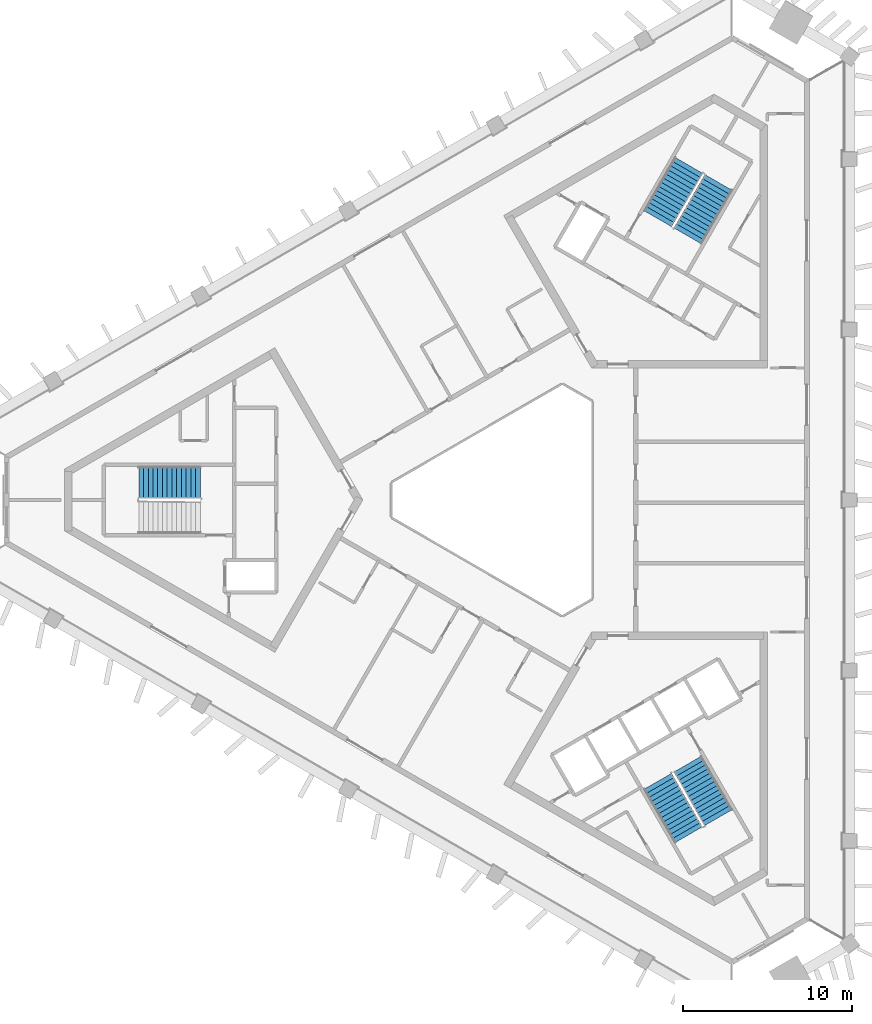
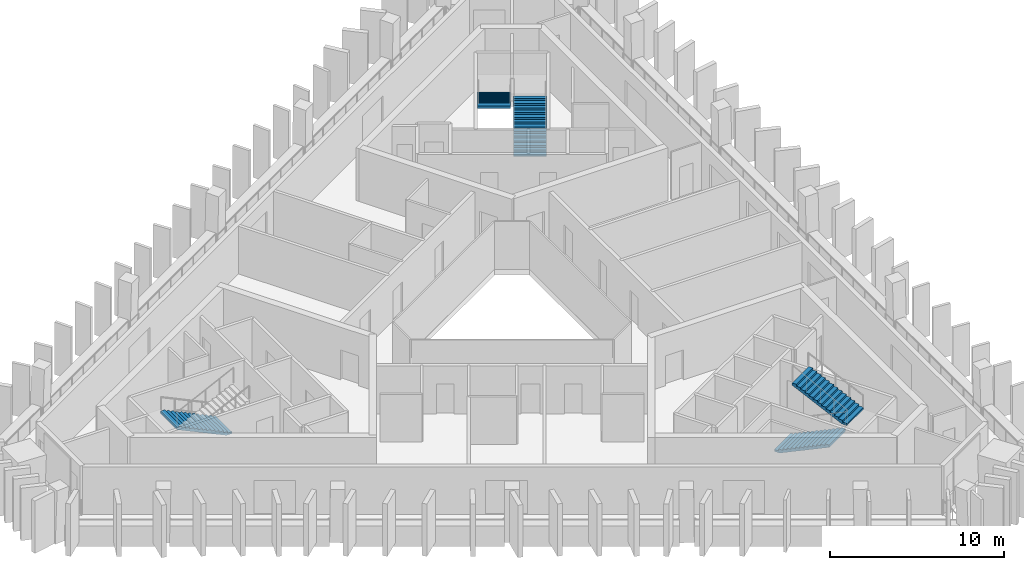
# One storey, part 6 of 9: 5 stair flights, 3 elements without a shape of their own.
"""IFC4 building model written with IfcOpenShell, lengths in metres."""

import ifcopenshell
import ifcopenshell.guid

model = None  # the IFC model being written
_history = None  # IfcOwnerHistory: only IFC2X3 demands one
_inside = {}  # id of a spatial element -> (the spatial element, [elements in it])
_under = {}  # id of a project, library or spatial element -> (it, [spatial elements below it])
_declared = {}  # id of a project -> (the project, [libraries it declares])
_typed = {}  # id of a type object -> (the type object, [elements of that type])
_made_of = {}  # id of a material, layer set ... -> (it, [elements and type objects made of it])


def new_model(schema):
    """Start an empty IFC model of exactly this schema.

    Asked for "IFC4X3", IfcOpenShell would pick the latest addendum, in which some entities
    have other attributes; the version numbers below select the first issue.
    IFC2X3 requires an IfcOwnerHistory on every rooted entity: one is made here for all.
    """
    global model, _history
    if schema == "IFC4X3":
        model = ifcopenshell.file(schema_version=(4, 3, 0, 0))
    else:
        model = ifcopenshell.file(schema=schema)
    _inside.clear()
    _under.clear()
    _declared.clear()
    _typed.clear()
    _made_of.clear()
    _history = None
    if model.schema == "IFC2X3":
        org = make("IfcOrganization", Name="unknown")
        user = make(
            "IfcPersonAndOrganization",
            ThePerson=make("IfcPerson", FamilyName="unknown"),
            TheOrganization=org,
        )
        app = make(
            "IfcApplication",
            ApplicationDeveloper=org,
            Version="unknown",
            ApplicationFullName="unknown",
            ApplicationIdentifier="unknown",
        )
        _history = make(
            "IfcOwnerHistory",
            OwningUser=user,
            OwningApplication=app,
            ChangeAction="ADDED",
            CreationDate=0,
        )
    return model


def make(cls, **values):
    """One entity of the class cls with the attributes given. An attribute that is None is left unset."""
    return model.create_entity(
        cls, **{name: value for name, value in values.items() if value is not None}
    )


def rooted(cls, **values):
    """An entity with a GlobalId (a new one), such as an element, a storey or a relation."""
    return make(cls, GlobalId=ifcopenshell.guid.new(), OwnerHistory=_history, **values)


def si_unit(unit_type, name, prefix=None):
    """IfcSIUnit, for example si_unit("LENGTHUNIT", "METRE", prefix="MILLI")."""
    return make("IfcSIUnit", UnitType=unit_type, Prefix=prefix, Name=name)


def assignment(units):
    """IfcUnitAssignment: the units of a project."""
    return None if units is None else make("IfcUnitAssignment", Units=units)


def point(xyz):
    """IfcCartesianPoint."""
    return None if xyz is None else make("IfcCartesianPoint", Coordinates=xyz)


def direction(xyz):
    """IfcDirection."""
    return None if xyz is None else make("IfcDirection", DirectionRatios=xyz)


def frame(location, z_axis=None, x_axis=None):
    """IfcAxis2Placement3D, a coordinate frame: its origin and axes. An axis left out is left unset."""
    return make(
        "IfcAxis2Placement3D",
        Location=point(location),
        Axis=direction(z_axis),
        RefDirection=direction(x_axis),
    )


def origin():
    """The frame at (0, 0, 0) with its axes left unset."""
    return frame((0.0, 0.0, 0.0))


def place(relative_to, where):
    """IfcLocalPlacement: puts the frame where relative to a parent placement (None: the world)."""
    return make(
        "IfcLocalPlacement", PlacementRelTo=relative_to, RelativePlacement=where
    )


def context(
    kind, dimensions, precision=None, world=None, true_north=None, identifier=None
):
    """IfcGeometricRepresentationContext, for example the 3D "Model" context."""
    return make(
        "IfcGeometricRepresentationContext",
        ContextIdentifier=identifier,
        ContextType=kind,
        CoordinateSpaceDimension=dimensions,
        Precision=precision,
        WorldCoordinateSystem=world,
        TrueNorth=true_north,
    )


def subcontext(parent, identifier, kind, view, scale=None):
    """IfcGeometricRepresentationSubContext, for example "Body" below "Model"."""
    return make(
        "IfcGeometricRepresentationSubContext",
        ContextIdentifier=identifier,
        ContextType=kind,
        ParentContext=parent,
        TargetScale=scale,
        TargetView=view,
    )


def project(units=None, contexts=None):
    """IfcProject with its units and contexts."""
    return rooted(
        "IfcProject",
        Name="project",
        RepresentationContexts=contexts,
        UnitsInContext=assignment(units),
    )


def spatial(cls, under=None, at=None, **own):
    """A site, building, storey or space (cls), placed at a placement, below another one or the project."""
    s = rooted(cls, ObjectPlacement=at, **own)
    if under is not None:
        _under.setdefault(under.id(), (under, []))[1].append(s)
    return s


def polyline(points):
    """IfcPolyline through the points."""
    return make("IfcPolyline", Points=[point(p) for p in points])


def outline(outer, holes=None, kind="AREA"):
    """IfcArbitraryClosedProfileDef: a profile drawn as a closed curve; with holes, ...WithVoids."""
    if holes is None:
        return make("IfcArbitraryClosedProfileDef", ProfileType=kind, OuterCurve=outer)
    return make(
        "IfcArbitraryProfileDefWithVoids",
        ProfileType=kind,
        OuterCurve=outer,
        InnerCurves=holes,
    )


def extrude(swept, where, along, depth):
    """IfcExtrudedAreaSolid: the profile swept, set in the frame where, extruded along a direction by depth."""
    return make(
        "IfcExtrudedAreaSolid",
        SweptArea=swept,
        Position=where,
        ExtrudedDirection=direction(along),
        Depth=depth,
    )


def shape(context_of_items, identifier, shape_type, items):
    """IfcShapeRepresentation: the items that make up one representation, for example the "Body"."""
    return make(
        "IfcShapeRepresentation",
        ContextOfItems=context_of_items,
        RepresentationIdentifier=identifier,
        RepresentationType=shape_type,
        Items=items,
    )


def material(Name=None, Category=None):
    """IfcMaterial."""
    return make("IfcMaterial", Name=Name, Category=Category)


def made_of(thing, what):
    """Note that an element or type object is made of a material, layer set ...; save() writes the relation."""
    if what is not None:
        _made_of.setdefault(what.id(), (what, []))[1].append(thing)
    return thing


def type_object(cls, material=None, **own):
    """A type object (cls), such as IfcWallType, which elements share."""
    return made_of(rooted(cls, **own), material)


def element(
    cls,
    number,
    at=None,
    inside=None,
    cuts=None,
    type_object=None,
    material=None,
    context=None,
    identifier="Body",
    shape_type=None,
    held_by="IfcProductDefinitionShape",
    body=None,
    shapes=None,
    **own,
):
    """One element of the class cls, such as IfcWall. Its Tag is "e" and its number.

    at: its placement. inside: the storey or other place that contains it. cuts: it is an
    opening in that element (IfcRelVoidsElement). A single representation is given by context,
    identifier, shape_type and body (its items); several are given by shapes. held_by: the class
    of the entity that holds the representations. save() writes the other relations.
    """
    e = rooted(cls, Tag="e%d" % number, ObjectPlacement=at, **own)
    if body is not None:
        shapes = [shape(context, identifier, shape_type, body)]
    if shapes is not None:
        e.Representation = make(held_by, Representations=shapes)
    if inside is not None:
        _inside.setdefault(inside.id(), (inside, []))[1].append(e)
    if cuts is not None:
        rooted(
            "IfcRelVoidsElement", RelatingBuildingElement=cuts, RelatedOpeningElement=e
        )
    if type_object is not None:
        _typed.setdefault(type_object.id(), (type_object, []))[1].append(e)
    return made_of(e, material)


def aggregate(whole, parts):
    """IfcRelAggregates: a whole, such as a stair, and the parts it consists of."""
    return rooted("IfcRelAggregates", RelatingObject=whole, RelatedObjects=parts)


def save(model, path):
    """Write the relations noted so far, then the file.

    IfcRelAggregates (storeys below a building ...), IfcRelContainedInSpatialStructure (elements
    in a storey), IfcRelDefinesByType, IfcRelAssociatesMaterial and IfcRelDeclares: one each for
    every whole, place, type object, material and project.
    """
    for whole, parts in _under.values():
        aggregate(whole, parts)
    for where, things in _inside.values():
        rooted(
            "IfcRelContainedInSpatialStructure",
            RelatedElements=things,
            RelatingStructure=where,
        )
    for kind, things in _typed.values():
        rooted("IfcRelDefinesByType", RelatedObjects=things, RelatingType=kind)
    for what, things in _made_of.values():
        rooted("IfcRelAssociatesMaterial", RelatedObjects=things, RelatingMaterial=what)
    for by, libraries in _declared.values():
        rooted("IfcRelDeclares", RelatingContext=by, RelatedDefinitions=libraries)
    model.write(path)


model = new_model("IFC4")

# Units and contexts
model_context = context("Model", 3, precision=1e-05, world=origin(), true_north=direction((0.0, 1.0)))
body_context = subcontext(model_context, "Body", "Model", "MODEL_VIEW")
ifc_project = project(units=[si_unit("LENGTHUNIT", "METRE"), si_unit("AREAUNIT", "SQUARE_METRE"), si_unit("VOLUMEUNIT", "CUBIC_METRE"), si_unit("PLANEANGLEUNIT", "RADIAN"), si_unit("MASSUNIT", "GRAM", prefix="KILO")], contexts=[model_context])

# Site, building, storey
site_placement = place(None, origin())
site = spatial("IfcSite", under=ifc_project, at=site_placement, CompositionType="ELEMENT")
building_placement = place(site_placement, origin())
building = spatial("IfcBuilding", under=site, at=building_placement, Name="Jabali Bay Hotel Tower and Convention Centre", CompositionType="ELEMENT")
storey_placement = place(building_placement, frame((0.0, 0.0, 242.800048828125)))
storey = spatial("IfcBuildingStorey", under=building, at=storey_placement, Name="L60", CompositionType="ELEMENT", Elevation=242.800048828125)

# Stair, stair flight
ifc_material = material(Name="Concrete C40", Category="concrete")
stair_type = type_object("IfcStairType", Name="Exit stair 1900", PredefinedType="HALF_TURN_STAIR", material=ifc_material)
stair_1_placement = place(storey_placement, origin())
stair_1 = element("IfcStair", 1, at=stair_1_placement, inside=storey, type_object=stair_type, Name="L60 Exit Stair 1", PredefinedType="HALF_TURN_STAIR")
stair_flight_type = type_object("IfcStairFlightType", Name="Stair flight concrete 150", PredefinedType="STRAIGHT", material=ifc_material)
stair_flight_1_placement = place(storey_placement, frame((56.419921875, 81.02490234375, 0.0), z_axis=(0.0, 0.0, 1.0), x_axis=(-1.0, 0.0, 0.0)))
stair_flight_1 = element("IfcStairFlight", 2, at=stair_flight_1_placement, type_object=stair_flight_type, Name="ST1 flight 1", NumberOfRisers=14, NumberOfTreads=13, PredefinedType="STRAIGHT", RiserHeight=0.132142857, TreadLength=0.28, context=body_context, shape_type="SweptSolid", body=[
    extrude(outline(polyline([(0.0, 0.0), (0.0, 0.132080078125), (0.280029296875, 0.132080078125), (0.280029296875, 0.264404296875), (0.56005859375, 0.264404296875), (0.56005859375, 0.396484375), (0.840087890625, 0.396484375), (0.840087890625, 0.528564453125), (1.1201171875, 0.528564453125), (1.1201171875, 0.66064453125), (1.39990234375, 0.66064453125), (1.39990234375, 0.79296875), (1.679931640625, 0.79296875), (1.679931640625, 0.925048828125), (1.9599609375, 0.925048828125), (1.9599609375, 1.05712890625), (2.239990234375, 1.05712890625), (2.239990234375, 1.189208984375), (2.52001953125, 1.189208984375), (2.52001953125, 1.321533203125), (2.800048828125, 1.321533203125), (2.800048828125, 1.45361328125), (3.080078125, 1.45361328125), (3.080078125, 1.585693359375), (3.360107421875, 1.585693359375), (3.360107421875, 1.7177734375), (3.639892578125, 1.7177734375), (3.639892578125, 1.85009765625), (3.639892578125, 1.552001953125), (0.351318359375, 0.0), (0.0, 0.0)])), frame((0.0, 0.949951171875, 0.0), z_axis=(0.0, -1.0, 0.0), x_axis=(1.0, 0.0, 0.0)), (0.0, 0.0, 1.0), 1.89990234375),
])
aggregate(stair_1, [stair_flight_1])

# Stair, stair flights
stair_2_placement = place(storey_placement, origin())
stair_2 = element("IfcStair", 3, at=stair_2_placement, inside=storey, type_object=stair_type, Name="L60 Exit Stair 2", PredefinedType="HALF_TURN_STAIR")
stair_flight_2_placement = place(storey_placement, frame((85.177734375, 95.578369140625, 0.0), z_axis=(0.0, 0.0, 1.0), x_axis=(0.5, 0.866025403784, 0.0)))
stair_flight_2 = element("IfcStairFlight", 4, at=stair_flight_2_placement, type_object=stair_flight_type, Name="ST2 flight 1", NumberOfRisers=14, NumberOfTreads=13, PredefinedType="STRAIGHT", RiserHeight=0.132142857, TreadLength=0.28, context=body_context, shape_type="SweptSolid", body=[
    extrude(outline(polyline([(0.0, 0.0), (0.0, 0.132080078125), (0.280029296875, 0.132080078125), (0.280029296875, 0.264404296875), (0.56005859375, 0.264404296875), (0.56005859375, 0.396484375), (0.840087890625, 0.396484375), (0.840087890625, 0.528564453125), (1.1201171875, 0.528564453125), (1.1201171875, 0.66064453125), (1.39990234375, 0.66064453125), (1.39990234375, 0.79296875), (1.679931640625, 0.79296875), (1.679931640625, 0.925048828125), (1.9599609375, 0.925048828125), (1.9599609375, 1.05712890625), (2.239990234375, 1.05712890625), (2.239990234375, 1.189208984375), (2.52001953125, 1.189208984375), (2.52001953125, 1.321533203125), (2.800048828125, 1.321533203125), (2.800048828125, 1.45361328125), (3.080078125, 1.45361328125), (3.080078125, 1.585693359375), (3.360107421875, 1.585693359375), (3.360107421875, 1.7177734375), (3.639892578125, 1.7177734375), (3.639892578125, 1.85009765625), (3.639892578125, 1.552001953125), (0.351318359375, 0.0), (0.0, 0.0)])), frame((0.0, 0.949951171875, 0.0), z_axis=(0.0, -1.0, 0.0), x_axis=(1.0, 0.0, 0.0)), (0.0, 0.0, 1.0), 1.89990234375),
])
stair_flight_3_placement = place(storey_placement, frame((85.222412109375, 99.755615234375, 1.849853515625), z_axis=(0.0, 0.0, 1.0), x_axis=(-0.5, -0.866025403784, 0.0)))
stair_flight_3 = element("IfcStairFlight", 5, at=stair_flight_3_placement, type_object=stair_flight_type, Name="ST2 flight 2", NumberOfRisers=14, NumberOfTreads=13, PredefinedType="STRAIGHT", RiserHeight=0.132142857, TreadLength=0.28, context=body_context, shape_type="SweptSolid", body=[
    extrude(outline(polyline([(0.0, 0.0), (0.0, 0.132080078125), (0.280029296875, 0.132080078125), (0.280029296875, 0.264404296875), (0.56005859375, 0.264404296875), (0.56005859375, 0.396484375), (0.840087890625, 0.396484375), (0.840087890625, 0.528564453125), (1.1201171875, 0.528564453125), (1.1201171875, 0.66064453125), (1.39990234375, 0.66064453125), (1.39990234375, 0.79296875), (1.679931640625, 0.79296875), (1.679931640625, 0.925048828125), (1.9599609375, 0.925048828125), (1.9599609375, 1.05712890625), (2.239990234375, 1.05712890625), (2.239990234375, 1.189208984375), (2.52001953125, 1.189208984375), (2.52001953125, 1.321533203125), (2.800048828125, 1.321533203125), (2.800048828125, 1.45361328125), (3.080078125, 1.45361328125), (3.080078125, 1.585693359375), (3.360107421875, 1.585693359375), (3.360107421875, 1.7177734375), (3.639892578125, 1.7177734375), (3.639892578125, 1.85009765625), (3.639892578125, 1.552001953125), (0.351318359375, 0.0), (0.0, 0.0)])), frame((0.0, 0.949951171875, 0.0), z_axis=(0.0, -1.0, 0.0), x_axis=(1.0, 0.0, 0.0)), (0.0, 0.0, 1.0), 1.89990234375),
])
aggregate(stair_2, [stair_flight_2, stair_flight_3])

stair_3_placement = place(storey_placement, origin())
stair_3 = element("IfcStair", 6, at=stair_3_placement, inside=storey, type_object=stair_type, Name="L60 Exit Stair 3", PredefinedType="HALF_TURN_STAIR")
stair_flight_4_placement = place(storey_placement, frame((83.40234375, 63.396728515625, 0.0), z_axis=(0.0, 0.0, 1.0), x_axis=(0.5, -0.866025403784, 0.0)))
stair_flight_4 = element("IfcStairFlight", 7, at=stair_flight_4_placement, type_object=stair_flight_type, Name="ST3 flight 1", NumberOfRisers=14, NumberOfTreads=13, PredefinedType="STRAIGHT", RiserHeight=0.132142857, TreadLength=0.28, context=body_context, shape_type="SweptSolid", body=[
    extrude(outline(polyline([(0.0, 0.0), (0.0, 0.132080078125), (0.280029296875, 0.132080078125), (0.280029296875, 0.264404296875), (0.56005859375, 0.264404296875), (0.56005859375, 0.396484375), (0.840087890625, 0.396484375), (0.840087890625, 0.528564453125), (1.1201171875, 0.528564453125), (1.1201171875, 0.66064453125), (1.39990234375, 0.66064453125), (1.39990234375, 0.79296875), (1.679931640625, 0.79296875), (1.679931640625, 0.925048828125), (1.9599609375, 0.925048828125), (1.9599609375, 1.05712890625), (2.239990234375, 1.05712890625), (2.239990234375, 1.189208984375), (2.52001953125, 1.189208984375), (2.52001953125, 1.321533203125), (2.800048828125, 1.321533203125), (2.800048828125, 1.45361328125), (3.080078125, 1.45361328125), (3.080078125, 1.585693359375), (3.360107421875, 1.585693359375), (3.360107421875, 1.7177734375), (3.639892578125, 1.7177734375), (3.639892578125, 1.85009765625), (3.639892578125, 1.552001953125), (0.351318359375, 0.0), (0.0, 0.0)])), frame((0.0, 0.949951171875, 0.0), z_axis=(0.0, -1.0, 0.0), x_axis=(1.0, 0.0, 0.0)), (0.0, 0.0, 1.0), 1.89990234375),
])
stair_flight_5_placement = place(storey_placement, frame((86.99755859375, 61.26953125, 1.849853515625), z_axis=(0.0, 0.0, 1.0), x_axis=(-0.5, 0.866025403784, 0.0)))
stair_flight_5 = element("IfcStairFlight", 8, at=stair_flight_5_placement, type_object=stair_flight_type, Name="ST3 flight 2", NumberOfRisers=14, NumberOfTreads=13, PredefinedType="STRAIGHT", RiserHeight=0.132142857, TreadLength=0.28, context=body_context, shape_type="SweptSolid", body=[
    extrude(outline(polyline([(0.0, 0.0), (0.0, 0.132080078125), (0.280029296875, 0.132080078125), (0.280029296875, 0.264404296875), (0.56005859375, 0.264404296875), (0.56005859375, 0.396484375), (0.840087890625, 0.396484375), (0.840087890625, 0.528564453125), (1.1201171875, 0.528564453125), (1.1201171875, 0.66064453125), (1.39990234375, 0.66064453125), (1.39990234375, 0.79296875), (1.679931640625, 0.79296875), (1.679931640625, 0.925048828125), (1.9599609375, 0.925048828125), (1.9599609375, 1.05712890625), (2.239990234375, 1.05712890625), (2.239990234375, 1.189208984375), (2.52001953125, 1.189208984375), (2.52001953125, 1.321533203125), (2.800048828125, 1.321533203125), (2.800048828125, 1.45361328125), (3.080078125, 1.45361328125), (3.080078125, 1.585693359375), (3.360107421875, 1.585693359375), (3.360107421875, 1.7177734375), (3.639892578125, 1.7177734375), (3.639892578125, 1.85009765625), (3.639892578125, 1.552001953125), (0.351318359375, 0.0), (0.0, 0.0)])), frame((0.0, 0.949951171875, 0.0), z_axis=(0.0, -1.0, 0.0), x_axis=(1.0, 0.0, 0.0)), (0.0, 0.0, 1.0), 1.89990234375),
])
aggregate(stair_3, [stair_flight_4, stair_flight_5])

save(model, "model.ifc")
